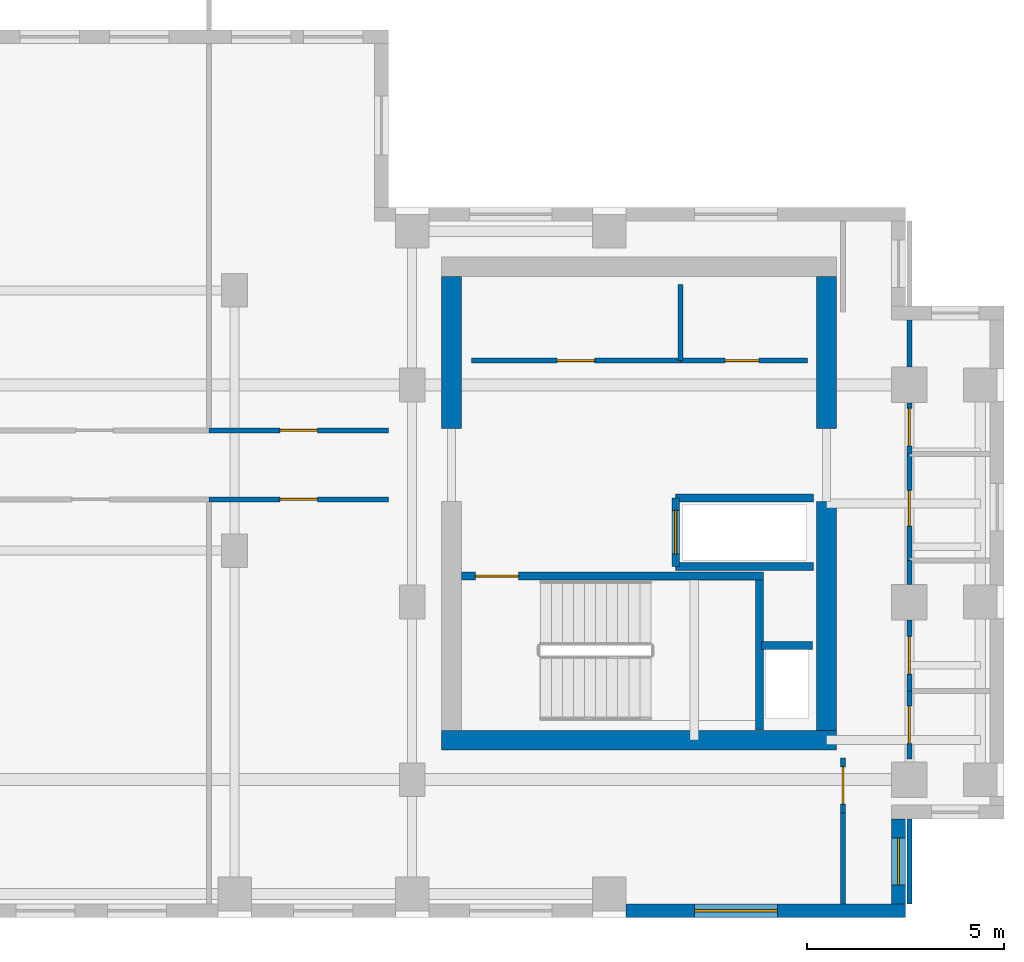
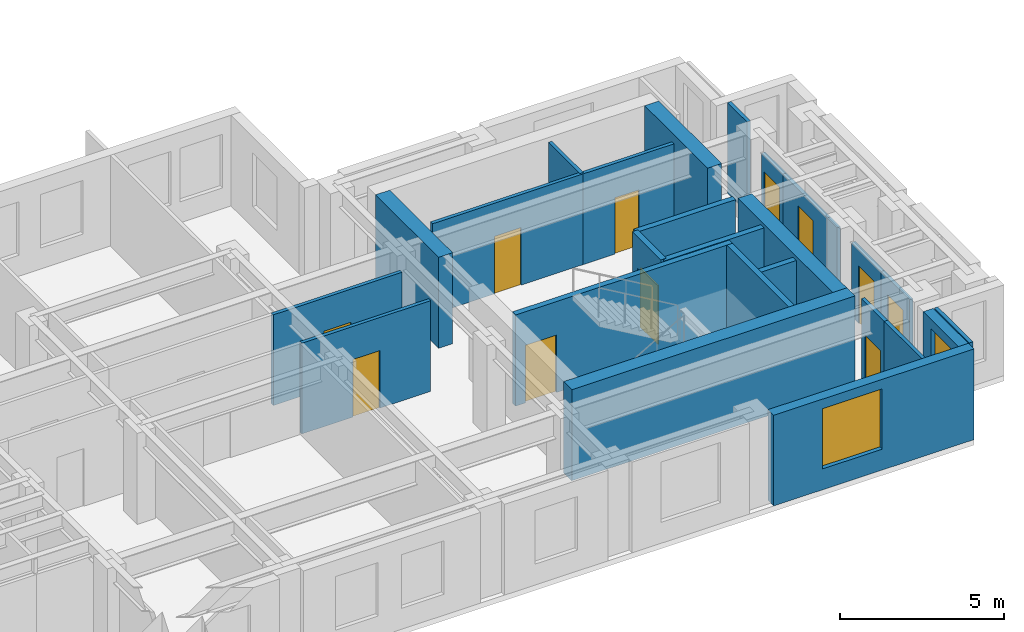
# One storey, part 9 of 13: 26 walls, 11 doors, 2 windows, 13 openings.
"""IFC4 building model written with IfcOpenShell, lengths in metres."""

import ifcopenshell
import ifcopenshell.guid

model = None  # the IFC model being written
_history = None  # IfcOwnerHistory: only IFC2X3 demands one
_inside = {}  # id of a spatial element -> (the spatial element, [elements in it])
_under = {}  # id of a project, library or spatial element -> (it, [spatial elements below it])
_declared = {}  # id of a project -> (the project, [libraries it declares])
_typed = {}  # id of a type object -> (the type object, [elements of that type])
_made_of = {}  # id of a material, layer set ... -> (it, [elements and type objects made of it])


def new_model(schema):
    """Start an empty IFC model of exactly this schema.

    Asked for "IFC4X3", IfcOpenShell would pick the latest addendum, in which some entities
    have other attributes; the version numbers below select the first issue.
    IFC2X3 requires an IfcOwnerHistory on every rooted entity: one is made here for all.
    """
    global model, _history
    if schema == "IFC4X3":
        model = ifcopenshell.file(schema_version=(4, 3, 0, 0))
    else:
        model = ifcopenshell.file(schema=schema)
    _inside.clear()
    _under.clear()
    _declared.clear()
    _typed.clear()
    _made_of.clear()
    _history = None
    if model.schema == "IFC2X3":
        org = make("IfcOrganization", Name="unknown")
        user = make(
            "IfcPersonAndOrganization",
            ThePerson=make("IfcPerson", FamilyName="unknown"),
            TheOrganization=org,
        )
        app = make(
            "IfcApplication",
            ApplicationDeveloper=org,
            Version="unknown",
            ApplicationFullName="unknown",
            ApplicationIdentifier="unknown",
        )
        _history = make(
            "IfcOwnerHistory",
            OwningUser=user,
            OwningApplication=app,
            ChangeAction="ADDED",
            CreationDate=0,
        )
    return model


def make(cls, **values):
    """One entity of the class cls with the attributes given. An attribute that is None is left unset."""
    return model.create_entity(
        cls, **{name: value for name, value in values.items() if value is not None}
    )


def rooted(cls, **values):
    """An entity with a GlobalId (a new one), such as an element, a storey or a relation."""
    return make(cls, GlobalId=ifcopenshell.guid.new(), OwnerHistory=_history, **values)


def si_unit(unit_type, name, prefix=None):
    """IfcSIUnit, for example si_unit("LENGTHUNIT", "METRE", prefix="MILLI")."""
    return make("IfcSIUnit", UnitType=unit_type, Prefix=prefix, Name=name)


def assignment(units):
    """IfcUnitAssignment: the units of a project."""
    return None if units is None else make("IfcUnitAssignment", Units=units)


def point(xyz):
    """IfcCartesianPoint."""
    return None if xyz is None else make("IfcCartesianPoint", Coordinates=xyz)


def direction(xyz):
    """IfcDirection."""
    return None if xyz is None else make("IfcDirection", DirectionRatios=xyz)


def frame(location, z_axis=None, x_axis=None):
    """IfcAxis2Placement3D, a coordinate frame: its origin and axes. An axis left out is left unset."""
    return make(
        "IfcAxis2Placement3D",
        Location=point(location),
        Axis=direction(z_axis),
        RefDirection=direction(x_axis),
    )


def frame_2d(location, x_axis=None):
    """IfcAxis2Placement2D, a coordinate frame in the plane: its origin and x axis."""
    return make(
        "IfcAxis2Placement2D", Location=point(location), RefDirection=direction(x_axis)
    )


def origin():
    """The frame at (0, 0, 0) with its axes left unset."""
    return frame((0.0, 0.0, 0.0))


def place(relative_to, where):
    """IfcLocalPlacement: puts the frame where relative to a parent placement (None: the world)."""
    return make(
        "IfcLocalPlacement", PlacementRelTo=relative_to, RelativePlacement=where
    )


def context(
    kind, dimensions, precision=None, world=None, true_north=None, identifier=None
):
    """IfcGeometricRepresentationContext, for example the 3D "Model" context."""
    return make(
        "IfcGeometricRepresentationContext",
        ContextIdentifier=identifier,
        ContextType=kind,
        CoordinateSpaceDimension=dimensions,
        Precision=precision,
        WorldCoordinateSystem=world,
        TrueNorth=true_north,
    )


def subcontext(parent, identifier, kind, view, scale=None):
    """IfcGeometricRepresentationSubContext, for example "Body" below "Model"."""
    return make(
        "IfcGeometricRepresentationSubContext",
        ContextIdentifier=identifier,
        ContextType=kind,
        ParentContext=parent,
        TargetScale=scale,
        TargetView=view,
    )


def project(units=None, contexts=None):
    """IfcProject with its units and contexts."""
    return rooted(
        "IfcProject",
        Name="project",
        RepresentationContexts=contexts,
        UnitsInContext=assignment(units),
    )


def spatial(cls, under=None, at=None, **own):
    """A site, building, storey or space (cls), placed at a placement, below another one or the project."""
    s = rooted(cls, ObjectPlacement=at, **own)
    if under is not None:
        _under.setdefault(under.id(), (under, []))[1].append(s)
    return s


def profile(cls, at=None, kind="AREA", **sizes):
    """A parametric profile (cls). Its sizes go by their IFC names, for example OverallWidth=200.0."""
    return make(cls, ProfileType=kind, Position=at, **sizes)


def rectangle(**sizes):
    """IfcRectangleProfileDef."""
    return profile("IfcRectangleProfileDef", **sizes)


def extrude(swept, where, along, depth):
    """IfcExtrudedAreaSolid: the profile swept, set in the frame where, extruded along a direction by depth."""
    return make(
        "IfcExtrudedAreaSolid",
        SweptArea=swept,
        Position=where,
        ExtrudedDirection=direction(along),
        Depth=depth,
    )


def shape(context_of_items, identifier, shape_type, items):
    """IfcShapeRepresentation: the items that make up one representation, for example the "Body"."""
    return make(
        "IfcShapeRepresentation",
        ContextOfItems=context_of_items,
        RepresentationIdentifier=identifier,
        RepresentationType=shape_type,
        Items=items,
    )


def source(mapping_origin, context_of_items, identifier, shape_type, items):
    """IfcRepresentationMap: a shape defined once, which mapped items show again and again."""
    return make(
        "IfcRepresentationMap",
        MappingOrigin=mapping_origin,
        MappedRepresentation=shape(context_of_items, identifier, shape_type, items),
    )


def transform(
    local_origin,
    x_axis=None,
    y_axis=None,
    z_axis=None,
    scale=None,
    scale2=None,
    scale3=None,
    uniform=True,
):
    """IfcCartesianTransformationOperator3D, or its non-uniform kind. x_axis, y_axis, z_axis: its Axis1, 2, 3."""
    if uniform:
        return make(
            "IfcCartesianTransformationOperator3D",
            Axis1=direction(x_axis),
            Axis2=direction(y_axis),
            LocalOrigin=point(local_origin),
            Scale=scale,
            Axis3=direction(z_axis),
        )
    return make(
        "IfcCartesianTransformationOperator3DnonUniform",
        Axis1=direction(x_axis),
        Axis2=direction(y_axis),
        LocalOrigin=point(local_origin),
        Scale=scale,
        Axis3=direction(z_axis),
        Scale2=scale2,
        Scale3=scale3,
    )


def mapped(mapping_source, mapping_target):
    """IfcMappedItem: shows the shape of a source again, moved by a transform."""
    return make(
        "IfcMappedItem", MappingSource=mapping_source, MappingTarget=mapping_target
    )


def material(Name=None, Category=None):
    """IfcMaterial."""
    return make("IfcMaterial", Name=Name, Category=Category)


def layer(
    of_material, thickness, ventilated=None, Name=None, Category=None, Priority=None
):
    """IfcMaterialLayer: one layer of a wall or slab, of a material (None: an air gap)."""
    return make(
        "IfcMaterialLayer",
        Material=of_material,
        LayerThickness=thickness,
        IsVentilated=ventilated,
        Name=Name,
        Category=Category,
        Priority=Priority,
    )


def layer_set(layers, Name=None):
    """IfcMaterialLayerSet."""
    return make("IfcMaterialLayerSet", MaterialLayers=layers, LayerSetName=Name)


def made_of(thing, what):
    """Note that an element or type object is made of a material, layer set ...; save() writes the relation."""
    if what is not None:
        _made_of.setdefault(what.id(), (what, []))[1].append(thing)
    return thing


def type_object(cls, material=None, **own):
    """A type object (cls), such as IfcWallType, which elements share."""
    return made_of(rooted(cls, **own), material)


def element(
    cls,
    number,
    at=None,
    inside=None,
    cuts=None,
    type_object=None,
    material=None,
    context=None,
    identifier="Body",
    shape_type=None,
    held_by="IfcProductDefinitionShape",
    body=None,
    shapes=None,
    **own,
):
    """One element of the class cls, such as IfcWall. Its Tag is "e" and its number.

    at: its placement. inside: the storey or other place that contains it. cuts: it is an
    opening in that element (IfcRelVoidsElement). A single representation is given by context,
    identifier, shape_type and body (its items); several are given by shapes. held_by: the class
    of the entity that holds the representations. save() writes the other relations.
    """
    e = rooted(cls, Tag="e%d" % number, ObjectPlacement=at, **own)
    if body is not None:
        shapes = [shape(context, identifier, shape_type, body)]
    if shapes is not None:
        e.Representation = make(held_by, Representations=shapes)
    if inside is not None:
        _inside.setdefault(inside.id(), (inside, []))[1].append(e)
    if cuts is not None:
        rooted(
            "IfcRelVoidsElement", RelatingBuildingElement=cuts, RelatedOpeningElement=e
        )
    if type_object is not None:
        _typed.setdefault(type_object.id(), (type_object, []))[1].append(e)
    return made_of(e, material)


def fill(opening, filler):
    """IfcRelFillsElement: the door or window that sits in an opening."""
    return rooted(
        "IfcRelFillsElement",
        RelatingOpeningElement=opening,
        RelatedBuildingElement=filler,
    )


def aggregate(whole, parts):
    """IfcRelAggregates: a whole, such as a stair, and the parts it consists of."""
    return rooted("IfcRelAggregates", RelatingObject=whole, RelatedObjects=parts)


def save(model, path):
    """Write the relations noted so far, then the file.

    IfcRelAggregates (storeys below a building ...), IfcRelContainedInSpatialStructure (elements
    in a storey), IfcRelDefinesByType, IfcRelAssociatesMaterial and IfcRelDeclares: one each for
    every whole, place, type object, material and project.
    """
    for whole, parts in _under.values():
        aggregate(whole, parts)
    for where, things in _inside.values():
        rooted(
            "IfcRelContainedInSpatialStructure",
            RelatedElements=things,
            RelatingStructure=where,
        )
    for kind, things in _typed.values():
        rooted("IfcRelDefinesByType", RelatedObjects=things, RelatingType=kind)
    for what, things in _made_of.values():
        rooted("IfcRelAssociatesMaterial", RelatedObjects=things, RelatingMaterial=what)
    for by, libraries in _declared.values():
        rooted("IfcRelDeclares", RelatingContext=by, RelatedDefinitions=libraries)
    model.write(path)


model = new_model("IFC4")

# Units and contexts
model_context = context("Model", 3, precision=1e-05, world=origin(), true_north=direction((0.0, 1.0)))
body_context = subcontext(model_context, "Body", "Model", "MODEL_VIEW")
ifc_project = project(units=[si_unit("LENGTHUNIT", "METRE"), si_unit("AREAUNIT", "SQUARE_METRE"), si_unit("VOLUMEUNIT", "CUBIC_METRE"), si_unit("PLANEANGLEUNIT", "RADIAN"), si_unit("MASSUNIT", "GRAM", prefix="KILO")], contexts=[model_context])

# Site, building, storey
site_placement = place(None, origin())
site = spatial("IfcSite", under=ifc_project, at=site_placement, CompositionType="ELEMENT")
building_placement = place(site_placement, origin())
building = spatial("IfcBuilding", under=site, at=building_placement, Name="Kharzan Plaza Tower", CompositionType="ELEMENT")
storey_placement = place(building_placement, frame((0.0, 0.0, 252.0)))
storey = spatial("IfcBuildingStorey", under=building, at=storey_placement, Name="L68", CompositionType="ELEMENT", Elevation=252.0)

# Wall, opening, window
ifc_material_1 = material(Name="Concrete C40/50", Category="concrete")
ifc_layer_1 = layer(ifc_material_1, 0.35009765625)
ifc_layer_set_1 = layer_set([ifc_layer_1], Name="Concrete C40/50")
wall_type_1 = type_object("IfcWallType", Name="WL-EXT-MAS-Z4", PredefinedType="SOLIDWALL", material=ifc_layer_set_1)
wall_1_placement = place(storey_placement, frame((40.423095703125, 0.175048828125, 0.0), z_axis=(0.0, 0.0, 1.0), x_axis=(1.0, 0.0, 0.0)))
wall_1 = element("IfcWall", 1, at=wall_1_placement, inside=storey, type_object=wall_type_1, Name="L68 Masonry-Frame Exterior Wall 34", PredefinedType="SOLIDWALL", context=body_context, shape_type="SweptSolid", body=[
    extrude(rectangle(XDim=7.076904296875, YDim=0.35009765625, at=frame_2d((3.53857421875, 0.0))), origin(), (0.0, 0.0, 1.0), 3.385009765625),
])
opening_1_placement = place(wall_1_placement, frame((1.7333984375, 0.0, 0.780029296875)))
opening_1 = element("IfcOpeningElement", 2, at=opening_1_placement, cuts=wall_1, Name="Opening W6", PredefinedType="OPENING", context=body_context, shape_type="SweptSolid", body=[
    extrude(rectangle(XDim=2.10009765625, YDim=2.25, at=frame_2d((1.050048828125, 1.125))), frame((0.0, 0.18505859375, 0.0), z_axis=(0.0, -1.0, 0.0), x_axis=(1.0, 0.0, 0.0)), (0.0, 0.0, 1.0), 0.3701171875),
])
ifc_material_2 = material(Name="Low-E Double Glazing", Category="glass")
window_type_1 = type_object("IfcWindowType", Name="WN-EXEC-2100x2250", PartitioningType="SINGLE_PANEL", PredefinedType="WINDOW", material=ifc_material_2)
shared_shape_1 = source(origin(), body_context, "Body", "SweptSolid", [
    extrude(rectangle(XDim=2.10009765625, YDim=2.25, at=frame_2d((1.050048828125, 1.125))), frame((0.0, 0.030029296875, 0.0), z_axis=(0.0, -1.0, 0.0), x_axis=(1.0, 0.0, 0.0)), (0.0, 0.0, 1.0), 0.06005859375),
])
window_1_placement = place(opening_1_placement, origin())
window_1 = element("IfcWindow", 3, at=window_1_placement, inside=storey, type_object=window_type_1, Name="L68 Recessed Solar-Control Window 34-1", OverallHeight=2.25, OverallWidth=2.10009765625, PartitioningType="SINGLE_PANEL", PredefinedType="WINDOW", context=body_context, shape_type="MappedRepresentation", body=[
    mapped(shared_shape_1, transform((0.0, 0.0, 0.0), x_axis=(1.0, 0.0, 0.0), y_axis=(0.0, 1.0, 0.0), z_axis=(0.0, 0.0, 1.0))),
])
fill(opening_1, window_1)

wall_2_placement = place(storey_placement, frame((47.324951171875, 0.347900390625, 0.0), z_axis=(0.0, 0.0, 1.0), x_axis=(0.0, 1.0, 0.0)))
wall_2 = element("IfcWall", 4, at=wall_2_placement, inside=storey, type_object=wall_type_1, Name="L68 Masonry-Frame Exterior Wall 35", PredefinedType="SOLIDWALL", context=body_context, shape_type="SweptSolid", body=[
    extrude(rectangle(XDim=2.154052734375, YDim=0.35009765625, at=frame_2d((1.0771484375, 0.0))), origin(), (0.0, 0.0, 1.0), 3.385009765625),
])
opening_2_placement = place(wall_2_placement, frame((0.47705078125, 0.0, 0.780029296875)))
opening_2 = element("IfcOpeningElement", 5, at=opening_2_placement, cuts=wall_2, Name="Opening W3", PredefinedType="OPENING", context=body_context, shape_type="SweptSolid", body=[
    extrude(rectangle(XDim=1.199951171875, YDim=2.25, at=frame_2d((0.60009765625, 1.125))), frame((0.0, 0.18505859375, 0.0), z_axis=(0.0, -1.0, 0.0), x_axis=(1.0, 0.0, 0.0)), (0.0, 0.0, 1.0), 0.3701171875),
])
window_type_2 = type_object("IfcWindowType", Name="WN-REC-1200x2100", PartitioningType="SINGLE_PANEL", PredefinedType="WINDOW", material=ifc_material_2)
shared_shape_2 = source(origin(), body_context, "Body", "SweptSolid", [
    extrude(rectangle(XDim=1.199951171875, YDim=2.25, at=frame_2d((0.60009765625, 1.125))), frame((0.0, 0.030029296875, 0.0), z_axis=(0.0, -1.0, 0.0), x_axis=(1.0, 0.0, 0.0)), (0.0, 0.0, 1.0), 0.06005859375),
])
window_2_placement = place(opening_2_placement, origin())
window_2 = element("IfcWindow", 6, at=window_2_placement, inside=storey, type_object=window_type_2, Name="L68 Recessed Solar-Control Window 35-1", OverallHeight=2.25, OverallWidth=1.199951171875, PartitioningType="SINGLE_PANEL", PredefinedType="WINDOW", context=body_context, shape_type="MappedRepresentation", body=[
    mapped(shared_shape_2, transform((0.0, 0.0, 0.0), x_axis=(1.0, 0.0, 0.0), y_axis=(0.0, 1.0, 0.0), z_axis=(0.0, 0.0, 1.0))),
])
fill(opening_2, window_2)

# Wall, opening, door
ifc_material_3 = material(Name="Fire-Rated Gypsum Board Partition", Category="gypsum")
ifc_layer_2 = layer(ifc_material_3, 0.125)
ifc_layer_set_2 = layer_set([ifc_layer_2], Name="Fire-Rated Gypsum Board Partition")
wall_type_2 = type_object("IfcWallType", Name="WL-INT-PART-125", PredefinedType="PARTITIONING", material=ifc_layer_set_2)
wall_3_placement = place(storey_placement, frame((36.5, 14.1201171875, 0.0), z_axis=(0.0, 0.0, 1.0), x_axis=(1.0, 0.0, 0.0)))
wall_3 = element("IfcWall", 7, at=wall_3_placement, inside=storey, type_object=wall_type_2, Name="L68 Interior Partition CB-RBLSA", PredefinedType="PARTITIONING", context=body_context, shape_type="SweptSolid", body=[
    extrude(rectangle(XDim=5.300048828125, YDim=0.125, at=frame_2d((2.64990234375, 0.0))), origin(), (0.0, 0.0, 1.0), 3.385009765625),
])
opening_3_placement = place(wall_3_placement, frame((2.175048828125, 0.0, 0.0)))
opening_3 = element("IfcOpeningElement", 8, at=opening_3_placement, cuts=wall_3, Name="Opening OD1", PredefinedType="OPENING", context=body_context, shape_type="SweptSolid", body=[
    extrude(rectangle(XDim=0.949951171875, YDim=2.14990234375, at=frame_2d((0.47509765625, 1.074951171875))), frame((0.0, 0.072509765625, 0.0), z_axis=(0.0, -1.0, 0.0), x_axis=(1.0, 0.0, 0.0)), (0.0, 0.0, 1.0), 0.14501953125),
])
ifc_material_4 = material(Name="Acoustic Solid-Core Stained Oak", Category="timber")
door_type_1 = type_object("IfcDoorType", Name="DR-OFF-SINGLE", OperationType="NOTDEFINED", PredefinedType="DOOR", material=ifc_material_4)
shared_shape_3 = source(origin(), body_context, "Body", "SweptSolid", [
    extrude(rectangle(XDim=0.949951171875, YDim=2.14990234375, at=frame_2d((0.47509765625, 1.074951171875))), frame((0.0, 0.02490234375, 0.0), z_axis=(0.0, -1.0, 0.0), x_axis=(1.0, 0.0, 0.0)), (0.0, 0.0, 1.0), 0.050048828125),
])
door_1_placement = place(opening_3_placement, origin())
door_1 = element("IfcDoor", 9, at=door_1_placement, inside=storey, type_object=door_type_1, Name="L68 Records Room Door", OperationType="SINGLE_SWING_RIGHT", OverallHeight=2.14990234375, OverallWidth=0.949951171875, PredefinedType="DOOR", context=body_context, shape_type="MappedRepresentation", body=[
    mapped(shared_shape_3, transform((0.0, 0.0, 0.0), x_axis=(1.0, 0.0, 0.0), y_axis=(0.0, 1.0, 0.0), z_axis=(0.0, 0.0, 1.0))),
])
fill(opening_3, door_1)

wall_4_placement = place(storey_placement, frame((41.800048828125, 14.1201171875, 0.0), z_axis=(0.0, 0.0, 1.0), x_axis=(1.0, 0.0, 0.0)))
wall_4 = element("IfcWall", 10, at=wall_4_placement, inside=storey, type_object=wall_type_2, Name="L68 Interior Partition CB-RBLSB", PredefinedType="PARTITIONING", context=body_context, shape_type="SweptSolid", body=[
    extrude(rectangle(XDim=3.219970703125, YDim=0.125, at=frame_2d((1.60986328125, 0.0))), origin(), (0.0, 0.0, 1.0), 3.385009765625),
])
opening_4_placement = place(wall_4_placement, frame((1.135009765625, 0.0, 0.0)))
opening_4 = element("IfcOpeningElement", 11, at=opening_4_placement, cuts=wall_4, Name="Opening RD1", PredefinedType="OPENING", context=body_context, shape_type="SweptSolid", body=[
    extrude(rectangle(XDim=0.85009765625, YDim=2.10009765625, at=frame_2d((0.425048828125, 1.050048828125))), frame((0.0, 0.072509765625, 0.0), z_axis=(0.0, -1.0, 0.0), x_axis=(1.0, 0.0, 0.0)), (0.0, 0.0, 1.0), 0.14501953125),
])
ifc_material_5 = material(Name="Powder-Coated Fire-Rated Steel", Category="steel")
door_type_2 = type_object("IfcDoorType", Name="DR-RISER-900", OperationType="NOTDEFINED", PredefinedType="DOOR", material=ifc_material_5)
shared_shape_4 = source(origin(), body_context, "Body", "SweptSolid", [
    extrude(rectangle(XDim=0.85009765625, YDim=2.10009765625, at=frame_2d((0.425048828125, 1.050048828125))), frame((0.0, 0.02490234375, 0.0), z_axis=(0.0, -1.0, 0.0), x_axis=(1.0, 0.0, 0.0)), (0.0, 0.0, 1.0), 0.050048828125),
])
door_2_placement = place(opening_4_placement, origin())
door_2 = element("IfcDoor", 12, at=door_2_placement, inside=storey, type_object=door_type_2, Name="L68 Housekeeping Store Door", OperationType="SINGLE_SWING_LEFT", OverallHeight=2.10009765625, OverallWidth=0.85009765625, PredefinedType="DOOR", context=body_context, shape_type="MappedRepresentation", body=[
    mapped(shared_shape_4, transform((0.0, 0.0, 0.0), x_axis=(1.0, 0.0, 0.0), y_axis=(0.0, 1.0, 0.0), z_axis=(0.0, 0.0, 1.0))),
])
fill(opening_4, door_2)

wall_5_placement = place(storey_placement, frame((47.60009765625, 4.02001953125, 0.0), z_axis=(0.0, 0.0, 1.0), x_axis=(0.0, 1.0, 0.0)))
wall_5 = element("IfcWall", 13, at=wall_5_placement, inside=storey, type_object=wall_type_2, Name="L68 Interior Partition SH-B3W0", PredefinedType="PARTITIONING", context=body_context, shape_type="SweptSolid", body=[
    extrude(rectangle(XDim=1.72998046875, YDim=0.125, at=frame_2d((0.864990234375, 0.0))), origin(), (0.0, 0.0, 1.0), 2.77294921875),
])
opening_5_placement = place(wall_5_placement, frame((0.389892578125, 0.0, 0.0)))
opening_5 = element("IfcOpeningElement", 14, at=opening_5_placement, cuts=wall_5, Name="Opening OD1", PredefinedType="OPENING", context=body_context, shape_type="SweptSolid", body=[
    extrude(rectangle(XDim=0.949951171875, YDim=2.14990234375, at=frame_2d((0.47509765625, 1.074951171875))), frame((0.0, 0.072509765625, 0.0), z_axis=(0.0, -1.0, 0.0), x_axis=(1.0, 0.0, 0.0)), (0.0, 0.0, 1.0), 0.14501953125),
])
door_3_placement = place(opening_5_placement, origin())
door_3 = element("IfcDoor", 15, at=door_3_placement, inside=storey, type_object=door_type_1, Name="L68 Wing B Office 1 Door", OperationType="SINGLE_SWING_RIGHT", OverallHeight=2.14990234375, OverallWidth=0.949951171875, PredefinedType="DOOR", context=body_context, shape_type="MappedRepresentation", body=[
    mapped(shared_shape_3, transform((0.0, 0.0, 0.0), x_axis=(1.0, 0.0, 0.0), y_axis=(0.0, 1.0, 0.0), z_axis=(0.0, 0.0, 1.0))),
])
fill(opening_5, door_3)

wall_6_placement = place(storey_placement, frame((47.60009765625, 5.75, 0.0), z_axis=(0.0, 0.0, 1.0), x_axis=(0.0, 1.0, 0.0)))
wall_6 = element("IfcWall", 16, at=wall_6_placement, inside=storey, type_object=wall_type_2, Name="L68 Interior Partition SH-B3W1-S1", PredefinedType="PARTITIONING", context=body_context, shape_type="SweptSolid", body=[
    extrude(rectangle(XDim=1.800048828125, YDim=0.125, at=frame_2d((0.89990234375, 0.0))), origin(), (0.0, 0.0, 1.0), 2.77294921875),
])
opening_6_placement = place(wall_6_placement, frame((0.425048828125, 0.0, 0.0)))
opening_6 = element("IfcOpeningElement", 17, at=opening_6_placement, cuts=wall_6, Name="Opening OD1", PredefinedType="OPENING", context=body_context, shape_type="SweptSolid", body=[
    extrude(rectangle(XDim=0.949951171875, YDim=2.14990234375, at=frame_2d((0.47509765625, 1.074951171875))), frame((0.0, 0.072509765625, 0.0), z_axis=(0.0, -1.0, 0.0), x_axis=(1.0, 0.0, 0.0)), (0.0, 0.0, 1.0), 0.14501953125),
])
door_4_placement = place(opening_6_placement, origin())
door_4 = element("IfcDoor", 18, at=door_4_placement, inside=storey, type_object=door_type_1, Name="L68 Wing B Office 2 Door", OperationType="SINGLE_SWING_LEFT", OverallHeight=2.14990234375, OverallWidth=0.949951171875, PredefinedType="DOOR", context=body_context, shape_type="MappedRepresentation", body=[
    mapped(shared_shape_3, transform((0.0, 0.0, 0.0), x_axis=(1.0, 0.0, 0.0), y_axis=(0.0, 1.0, 0.0), z_axis=(0.0, 0.0, 1.0))),
])
fill(opening_6, door_4)

wall_7_placement = place(storey_placement, frame((47.60009765625, 11.75, 0.0), z_axis=(0.0, 0.0, 1.0), x_axis=(0.0, 1.0, 0.0)))
wall_7 = element("IfcWall", 19, at=wall_7_placement, inside=storey, type_object=wall_type_2, Name="L68 Interior Partition SH-B3W2-S1", PredefinedType="PARTITIONING", context=body_context, shape_type="SweptSolid", body=[
    extrude(rectangle(XDim=1.300048828125, YDim=0.125, at=frame_2d((0.64990234375, 0.0))), origin(), (0.0, 0.0, 1.0), 2.77294921875),
])
opening_7_placement = place(wall_7_placement, frame((0.2099609375, 0.0, 0.0)))
opening_7 = element("IfcOpeningElement", 20, at=opening_7_placement, cuts=wall_7, Name="Opening OD1", PredefinedType="OPENING", context=body_context, shape_type="SweptSolid", body=[
    extrude(rectangle(XDim=0.949951171875, YDim=2.14990234375, at=frame_2d((0.47509765625, 1.074951171875))), frame((0.0, 0.072509765625, 0.0), z_axis=(0.0, -1.0, 0.0), x_axis=(1.0, 0.0, 0.0)), (0.0, 0.0, 1.0), 0.14501953125),
])
door_5_placement = place(opening_7_placement, origin())
door_5 = element("IfcDoor", 21, at=door_5_placement, inside=storey, type_object=door_type_1, Name="L68 Wing B Office 3 Door", OperationType="SINGLE_SWING_LEFT", OverallHeight=2.14990234375, OverallWidth=0.949951171875, PredefinedType="DOOR", context=body_context, shape_type="MappedRepresentation", body=[
    mapped(shared_shape_3, transform((0.0, 0.0, 0.0), x_axis=(1.0, 0.0, 0.0), y_axis=(0.0, 1.0, 0.0), z_axis=(0.0, 0.0, 1.0))),
])
fill(opening_7, door_5)

wall_8_placement = place(storey_placement, frame((47.60009765625, 9.050048828125, 0.0), z_axis=(0.0, 0.0, 1.0), x_axis=(0.0, 1.0, 0.0)))
wall_8 = element("IfcWall", 22, at=wall_8_placement, inside=storey, type_object=wall_type_2, Name="L68 Interior Partition SH-B3WC", PredefinedType="PARTITIONING", context=body_context, shape_type="SweptSolid", body=[
    extrude(rectangle(XDim=2.699951171875, YDim=0.125, at=frame_2d((1.35009765625, 0.0))), origin(), (0.0, 0.0, 1.0), 2.77294921875),
])
opening_8_placement = place(wall_8_placement, frame((0.875, 0.0, 0.0)))
opening_8 = element("IfcOpeningElement", 23, at=opening_8_placement, cuts=wall_8, Name="Opening WD1", PredefinedType="OPENING", context=body_context, shape_type="SweptSolid", body=[
    extrude(rectangle(XDim=0.89990234375, YDim=2.14990234375, at=frame_2d((0.449951171875, 1.074951171875))), frame((0.0, 0.072509765625, 0.0), z_axis=(0.0, -1.0, 0.0), x_axis=(1.0, 0.0, 0.0)), (0.0, 0.0, 1.0), 0.14501953125),
])
ifc_material_6 = material(Name="Moisture-Resistant Fire-Rated Laminate", Category="timber")
door_type_3 = type_object("IfcDoorType", Name="DR-WC-900", OperationType="NOTDEFINED", PredefinedType="DOOR", material=ifc_material_6)
shared_shape_5 = source(origin(), body_context, "Body", "SweptSolid", [
    extrude(rectangle(XDim=0.89990234375, YDim=2.14990234375, at=frame_2d((0.449951171875, 1.074951171875))), frame((0.0, 0.02490234375, 0.0), z_axis=(0.0, -1.0, 0.0), x_axis=(1.0, 0.0, 0.0)), (0.0, 0.0, 1.0), 0.050048828125),
])
door_6_placement = place(opening_8_placement, origin())
door_6 = element("IfcDoor", 24, at=door_6_placement, inside=storey, type_object=door_type_3, Name="L68 Wing B Washroom Door", OperationType="SINGLE_SWING_RIGHT", OverallHeight=2.14990234375, OverallWidth=0.89990234375, PredefinedType="DOOR", context=body_context, shape_type="MappedRepresentation", body=[
    mapped(shared_shape_5, transform((0.0, 0.0, 0.0), x_axis=(1.0, 0.0, 0.0), y_axis=(0.0, 1.0, 0.0), z_axis=(0.0, 0.0, 1.0))),
])
fill(opening_8, door_6)

wall_9_placement = place(storey_placement, frame((45.919921875, 2.64990234375, 0.0), z_axis=(0.0, 0.0, 1.0), x_axis=(0.0, 1.0, 0.0)))
wall_9 = element("IfcWall", 25, at=wall_9_placement, inside=storey, type_object=wall_type_2, Name="L68 Interior Partition SH-RBSE", PredefinedType="PARTITIONING", context=body_context, shape_type="SweptSolid", body=[
    extrude(rectangle(XDim=1.400146484375, YDim=0.125, at=frame_2d((0.7001953125, 0.0))), origin(), (0.0, 0.0, 1.0), 3.385009765625),
])
opening_9_placement = place(wall_9_placement, frame((0.22509765625, 0.0, 0.0)))
opening_9 = element("IfcOpeningElement", 26, at=opening_9_placement, cuts=wall_9, Name="Opening OD1", PredefinedType="OPENING", context=body_context, shape_type="SweptSolid", body=[
    extrude(rectangle(XDim=0.949951171875, YDim=2.14990234375, at=frame_2d((0.47509765625, 1.074951171875))), frame((0.0, 0.072509765625, 0.0), z_axis=(0.0, -1.0, 0.0), x_axis=(1.0, 0.0, 0.0)), (0.0, 0.0, 1.0), 0.14501953125),
])
door_7_placement = place(opening_9_placement, origin())
door_7 = element("IfcDoor", 27, at=door_7_placement, inside=storey, type_object=door_type_1, Name="L68 South-East Corner Office Door", OperationType="SINGLE_SWING_LEFT", OverallHeight=2.14990234375, OverallWidth=0.949951171875, PredefinedType="DOOR", context=body_context, shape_type="MappedRepresentation", body=[
    mapped(shared_shape_3, transform((0.0, 0.0, 0.0), x_axis=(1.0, 0.0, 0.0), y_axis=(0.0, 1.0, 0.0), z_axis=(0.0, 0.0, 1.0))),
])
fill(opening_9, door_7)

wall_10_placement = place(storey_placement, frame((29.85009765625, 12.35009765625, 0.0), z_axis=(0.0, 0.0, 1.0), x_axis=(1.0, 0.0, 0.0)))
wall_10 = element("IfcWall", 28, at=wall_10_placement, inside=storey, type_object=wall_type_2, Name="L68 Interior Partition SH-SPNE1", PredefinedType="PARTITIONING", context=body_context, shape_type="SweptSolid", body=[
    extrude(rectangle(XDim=4.5498046875, YDim=0.125, at=frame_2d((2.27490234375, 0.0))), origin(), (0.0, 0.0, 1.0), 3.385009765625),
])
opening_10_placement = place(wall_10_placement, frame((1.800048828125, 0.0, 0.0)))
opening_10 = element("IfcOpeningElement", 29, at=opening_10_placement, cuts=wall_10, Name="Opening OD1", PredefinedType="OPENING", context=body_context, shape_type="SweptSolid", body=[
    extrude(rectangle(XDim=0.949951171875, YDim=2.14990234375, at=frame_2d((0.47509765625, 1.074951171875))), frame((0.0, 0.072509765625, 0.0), z_axis=(0.0, -1.0, 0.0), x_axis=(1.0, 0.0, 0.0)), (0.0, 0.0, 1.0), 0.14501953125),
])
door_8_placement = place(opening_10_placement, origin())
door_8 = element("IfcDoor", 30, at=door_8_placement, inside=storey, type_object=door_type_1, Name="L68 North-East Spine Door", OperationType="SINGLE_SWING_LEFT", OverallHeight=2.14990234375, OverallWidth=0.949951171875, PredefinedType="DOOR", context=body_context, shape_type="MappedRepresentation", body=[
    mapped(shared_shape_3, transform((0.0, 0.0, 0.0), x_axis=(1.0, 0.0, 0.0), y_axis=(0.0, 1.0, 0.0), z_axis=(0.0, 0.0, 1.0))),
])
fill(opening_10, door_8)

wall_11_placement = place(storey_placement, frame((29.85009765625, 10.60009765625, 0.0), z_axis=(0.0, 0.0, 1.0), x_axis=(1.0, 0.0, 0.0)))
wall_11 = element("IfcWall", 31, at=wall_11_placement, inside=storey, type_object=wall_type_2, Name="L68 Interior Partition SH-SPS3", PredefinedType="PARTITIONING", context=body_context, shape_type="SweptSolid", body=[
    extrude(rectangle(XDim=4.5498046875, YDim=0.125, at=frame_2d((2.27490234375, 0.0))), origin(), (0.0, 0.0, 1.0), 3.385009765625),
])
opening_11_placement = place(wall_11_placement, frame((1.800048828125, 0.0, 0.0)))
opening_11 = element("IfcOpeningElement", 32, at=opening_11_placement, cuts=wall_11, Name="Opening OD1", PredefinedType="OPENING", context=body_context, shape_type="SweptSolid", body=[
    extrude(rectangle(XDim=0.949951171875, YDim=2.14990234375, at=frame_2d((0.47509765625, 1.074951171875))), frame((0.0, 0.072509765625, 0.0), z_axis=(0.0, -1.0, 0.0), x_axis=(1.0, 0.0, 0.0)), (0.0, 0.0, 1.0), 0.14501953125),
])
door_9_placement = place(opening_11_placement, origin())
door_9 = element("IfcDoor", 33, at=door_9_placement, inside=storey, type_object=door_type_1, Name="L68 Spine Studio 3 Door", OperationType="SINGLE_SWING_LEFT", OverallHeight=2.14990234375, OverallWidth=0.949951171875, PredefinedType="DOOR", context=body_context, shape_type="MappedRepresentation", body=[
    mapped(shared_shape_3, transform((0.0, 0.0, 0.0), x_axis=(1.0, 0.0, 0.0), y_axis=(0.0, 1.0, 0.0), z_axis=(0.0, 0.0, 1.0))),
])
fill(opening_11, door_9)

ifc_layer_3 = layer(ifc_material_1, 0.199951171875)
ifc_layer_set_3 = layer_set([ifc_layer_3], Name="Concrete C40/50")
wall_type_3 = type_object("IfcWallType", Name="WL-INT-SHAFT-200", PredefinedType="PARTITIONING", material=ifc_layer_set_3)
wall_12_placement = place(storey_placement, frame((41.679931640625, 8.89990234375, 0.0), z_axis=(0.0, 0.0, 1.0), x_axis=(0.0, 1.0, 0.0)))
wall_12 = element("IfcWall", 34, at=wall_12_placement, inside=storey, type_object=wall_type_3, Name="L68 Interior Partition SHF-SVL-2-W", PredefinedType="PARTITIONING", context=body_context, shape_type="SweptSolid", body=[
    extrude(rectangle(XDim=1.739990234375, YDim=0.199951171875, at=frame_2d((0.8701171875, 0.0))), origin(), (0.0, 0.0, 1.0), 3.385009765625),
])
opening_12_placement = place(wall_12_placement, frame((0.320068359375, 0.0, 0.0)))
opening_12 = element("IfcOpeningElement", 35, at=opening_12_placement, cuts=wall_12, Name="Opening LD", PredefinedType="OPENING", context=body_context, shape_type="SweptSolid", body=[
    extrude(rectangle(XDim=1.10009765625, YDim=2.199951171875, at=frame_2d((0.550048828125, 1.10009765625))), frame((0.0, 0.10986328125, 0.0), z_axis=(0.0, -1.0, 0.0), x_axis=(1.0, 0.0, 0.0)), (0.0, 0.0, 1.0), 0.219970703125),
])
ifc_material_7 = material(Name="Brushed Stainless Steel", Category="steel")
door_type_4 = type_object("IfcDoorType", Name="DR-LIFT-SLIDE", OperationType="SLIDING_TO_LEFT", PredefinedType="DOOR", material=ifc_material_7)
shared_shape_6 = source(origin(), body_context, "Body", "SweptSolid", [
    extrude(rectangle(XDim=1.10009765625, YDim=2.199951171875, at=frame_2d((0.550048828125, 1.10009765625))), frame((0.0, 0.02490234375, 0.0), z_axis=(0.0, -1.0, 0.0), x_axis=(1.0, 0.0, 0.0)), (0.0, 0.0, 1.0), 0.050048828125),
])
door_10_placement = place(opening_12_placement, origin())
door_10 = element("IfcDoor", 36, at=door_10_placement, inside=storey, type_object=door_type_4, Name="L68 Service Lift SVL-2 Sliding Landing Door", OperationType="SLIDING_TO_LEFT", OverallHeight=2.199951171875, OverallWidth=1.10009765625, PredefinedType="DOOR", context=body_context, shape_type="MappedRepresentation", body=[
    mapped(shared_shape_6, transform((0.0, 0.0, 0.0), x_axis=(1.0, 0.0, 0.0), y_axis=(0.0, 1.0, 0.0), z_axis=(0.0, 0.0, 1.0))),
])
fill(opening_12, door_10)

ifc_material_8 = material(Name="Concrete C50/60", Category="concrete")
ifc_layer_4 = layer(ifc_material_8, 0.199951171875)
ifc_layer_set_4 = layer_set([ifc_layer_4], Name="Concrete C50/60")
wall_type_4 = type_object("IfcWallType", Name="WL-SHAFT-RC200", PredefinedType="SHEAR", material=ifc_layer_set_4)
wall_13_placement = place(storey_placement, frame((36.251953125, 8.655029296875, 0.0), z_axis=(0.0, 0.0, 1.0), x_axis=(1.0, 0.0, 0.0)))
wall_13 = element("IfcWall", 37, at=wall_13_placement, inside=storey, type_object=wall_type_4, Name="L68 Stair ST-3 North RC Shaft Wall", PredefinedType="SHEAR", context=body_context, shape_type="SweptSolid", body=[
    extrude(rectangle(XDim=7.653076171875, YDim=0.199951171875, at=frame_2d((3.82666015625, 0.0))), origin(), (0.0, 0.0, 1.0), 3.39990234375),
])
opening_13_placement = place(wall_13_placement, frame((0.35009765625, 0.0, 0.0)))
opening_13 = element("IfcOpeningElement", 38, at=opening_13_placement, cuts=wall_13, Name="Opening SD1", PredefinedType="OPENING", context=body_context, shape_type="SweptSolid", body=[
    extrude(rectangle(XDim=1.10009765625, YDim=2.14990234375, at=frame_2d((0.550048828125, 1.074951171875))), frame((0.0, 0.10986328125, 0.0), z_axis=(0.0, -1.0, 0.0), x_axis=(1.0, 0.0, 0.0)), (0.0, 0.0, 1.0), 0.219970703125),
])
ifc_material_9 = material(Name="Fire-Rated Hollow Galvanized Steel", Category="steel")
door_type_5 = type_object("IfcDoorType", Name="DR-STAIR-FD120", OperationType="NOTDEFINED", PredefinedType="DOOR", material=ifc_material_9)
shared_shape_7 = source(origin(), body_context, "Body", "SweptSolid", [
    extrude(rectangle(XDim=1.10009765625, YDim=2.14990234375, at=frame_2d((0.550048828125, 1.074951171875))), frame((0.0, 0.02490234375, 0.0), z_axis=(0.0, -1.0, 0.0), x_axis=(1.0, 0.0, 0.0)), (0.0, 0.0, 1.0), 0.050048828125),
])
door_11_placement = place(opening_13_placement, origin())
door_11 = element("IfcDoor", 39, at=door_11_placement, inside=storey, type_object=door_type_5, Name="L68 Stair ST-3 Fire Exit Door", OperationType="SINGLE_SWING_LEFT", OverallHeight=2.14990234375, OverallWidth=1.10009765625, PredefinedType="DOOR", context=body_context, shape_type="MappedRepresentation", body=[
    mapped(shared_shape_7, transform((0.0, 0.0, 0.0), x_axis=(1.0, 0.0, 0.0), y_axis=(0.0, 1.0, 0.0), z_axis=(0.0, 0.0, 1.0))),
])
fill(opening_13, door_11)

# Walls
shared_shape_8 = source(origin(), body_context, "Body", "SweptSolid", [
    extrude(rectangle(XDim=1.929931640625, YDim=0.125, at=frame_2d((0.96484375, 0.0))), origin(), (0.0, 0.0, 1.0), 3.385009765625),
])
wall_14_placement = place(storey_placement, frame((41.800048828125, 14.1201171875, 0.0), z_axis=(0.0, 0.0, 1.0), x_axis=(0.0, 1.0, 0.0)))
element("IfcWall", 40, at=wall_14_placement, inside=storey, type_object=wall_type_2, Name="L68 Interior Partition CB-RBLM2", PredefinedType="PARTITIONING", context=body_context, shape_type="MappedRepresentation", body=[
    mapped(shared_shape_8, transform((0.0, 0.0, 0.0), x_axis=(1.0, 0.0, 0.0), y_axis=(0.0, 1.0, 0.0), z_axis=(0.0, 0.0, 1.0))),
])
shared_shape_9 = source(origin(), body_context, "Body", "SweptSolid", [
    extrude(rectangle(XDim=2.2978515625, YDim=0.125, at=frame_2d((1.14892578125, 0.0))), origin(), (0.0, 0.0, 1.0), 3.385009765625),
])
wall_15_placement = place(storey_placement, frame((45.919921875, 0.35205078125, 0.0), z_axis=(0.0, 0.0, 1.0), x_axis=(0.0, 1.0, 0.0)))
element("IfcWall", 41, at=wall_15_placement, inside=storey, type_object=wall_type_2, Name="L68 Interior Partition SH-RBSE0", PredefinedType="PARTITIONING", context=body_context, shape_type="MappedRepresentation", body=[
    mapped(shared_shape_9, transform((0.0, 0.0, 0.0), x_axis=(1.0, 0.0, 0.0), y_axis=(0.0, 1.0, 0.0), z_axis=(0.0, 0.0, 1.0))),
])
shared_shape_10 = source(origin(), body_context, "Body", "SweptSolid", [
    extrude(rectangle(XDim=1.2998046875, YDim=0.199951171875, at=frame_2d((0.64990234375, 0.0))), origin(), (0.0, 0.0, 1.0), 3.385009765625),
])
wall_16_placement = place(storey_placement, frame((43.85009765625, 6.89990234375, 0.0), z_axis=(0.0, 0.0, 1.0), x_axis=(1.0, 0.0, 0.0)))
element("IfcWall", 42, at=wall_16_placement, inside=storey, type_object=wall_type_3, Name="L68 Interior Partition CB-RSRB-N", PredefinedType="PARTITIONING", context=body_context, shape_type="MappedRepresentation", body=[
    mapped(shared_shape_10, transform((0.0, 0.0, 0.0), x_axis=(1.0, 0.0, 0.0), y_axis=(0.0, 1.0, 0.0), z_axis=(0.0, 0.0, 1.0))),
])
shared_shape_11 = source(origin(), body_context, "Body", "SweptSolid", [
    extrude(rectangle(XDim=3.489990234375, YDim=0.199951171875, at=frame_2d((1.7451171875, 0.0))), origin(), (0.0, 0.0, 1.0), 3.385009765625),
])
for number, where, z_axis, x_axis, name in (
    (43, (41.679931640625, 10.639892578125, 0.0), (0.0, 0.0, 1.0), (1.0, 0.0, 0.0), "L68 Interior Partition SHF-SVL-2-N"),
    (44, (41.679931640625, 8.89990234375, 0.0), (0.0, 0.0, 1.0), (1.0, 0.0, 0.0), "L68 Interior Partition SHF-SVL-2-S"),
):
    element("IfcWall", number, at=place(storey_placement, frame(where, z_axis=z_axis, x_axis=x_axis)), inside=storey, type_object=wall_type_3, Name=name, PredefinedType="PARTITIONING", context=body_context, shape_type="MappedRepresentation", body=[
        mapped(shared_shape_11, transform((0.0, 0.0, 0.0), x_axis=(1.0, 0.0, 0.0), y_axis=(0.0, 1.0, 0.0), z_axis=(0.0, 0.0, 1.0))),
    ])
shared_shape_12 = source(origin(), body_context, "Body", "SweptSolid", [
    extrude(rectangle(XDim=2.14794921875, YDim=0.125, at=frame_2d((1.073974609375, 0.0))), origin(), (0.0, 0.0, 1.0), 3.385009765625),
])
wall_17_placement = place(storey_placement, frame((47.60009765625, 0.35009765625, 0.0), z_axis=(0.0, 0.0, 1.0), x_axis=(0.0, 1.0, 0.0)))
element("IfcWall", 45, at=wall_17_placement, inside=storey, type_object=wall_type_2, Name="L68 Interior Partition SH-B3W0S", PredefinedType="PARTITIONING", context=body_context, shape_type="MappedRepresentation", body=[
    mapped(shared_shape_12, transform((0.0, 0.0, 0.0), x_axis=(1.0, 0.0, 0.0), y_axis=(0.0, 1.0, 0.0), z_axis=(0.0, 0.0, 1.0))),
])
shared_shape_13 = source(origin(), body_context, "Body", "SweptSolid", [
    extrude(rectangle(XDim=1.197998046875, YDim=0.125, at=frame_2d((0.59912109375, 0.0))), origin(), (0.0, 0.0, 1.0), 3.385009765625),
])
wall_18_placement = place(storey_placement, frame((47.60009765625, 13.949951171875, 0.0), z_axis=(0.0, 0.0, 1.0), x_axis=(0.0, 1.0, 0.0)))
element("IfcWall", 46, at=wall_18_placement, inside=storey, type_object=wall_type_2, Name="L68 Interior Partition SH-B3W2-S2", PredefinedType="PARTITIONING", context=body_context, shape_type="MappedRepresentation", body=[
    mapped(shared_shape_13, transform((0.0, 0.0, 0.0), x_axis=(1.0, 0.0, 0.0), y_axis=(0.0, 1.0, 0.0), z_axis=(0.0, 0.0, 1.0))),
])
ifc_layer_5 = layer(ifc_material_8, 0.5)
ifc_layer_set_5 = layer_set([ifc_layer_5], Name="Concrete C50/60")
wall_type_5 = type_object("IfcWallType", Name="WL-CORE-500", PredefinedType="SHEAR", material=ifc_layer_set_5)
shared_shape_14 = source(origin(), body_context, "Body", "SweptSolid", [
    extrude(rectangle(XDim=5.800048828125, YDim=0.5, at=frame_2d((2.89990234375, 0.0))), origin(), (0.0, 0.0, 1.0), 3.39990234375),
])
wall_19_placement = place(storey_placement, frame((45.5, 4.75, 0.0), z_axis=(0.0, 0.0, 1.0), x_axis=(0.0, 1.0, 0.0)))
element("IfcWall", 47, at=wall_19_placement, inside=storey, type_object=wall_type_5, Name="L68 CORE-B east shear pier 1", PredefinedType="SHEAR", context=body_context, shape_type="MappedRepresentation", body=[
    mapped(shared_shape_14, transform((0.0, 0.0, 0.0), x_axis=(1.0, 0.0, 0.0), y_axis=(0.0, 1.0, 0.0), z_axis=(0.0, 0.0, 1.0))),
])
shared_shape_15 = source(origin(), body_context, "Body", "SweptSolid", [
    extrude(rectangle(XDim=3.85009765625, YDim=0.5, at=frame_2d((1.925048828125, 0.0))), origin(), (0.0, 0.0, 1.0), 3.39990234375),
])
for number, where, z_axis, x_axis, name in (
    (48, (45.5, 12.39990234375, 0.0), (0.0, 0.0, 1.0), (0.0, 1.0, 0.0), "L68 CORE-B east shear pier 2"),
    (49, (36.0, 12.39990234375, 0.0), (0.0, 0.0, 1.0), (0.0, 1.0, 0.0), "L68 CORE-B west shear pier 2"),
):
    element("IfcWall", number, at=place(storey_placement, frame(where, z_axis=z_axis, x_axis=x_axis)), inside=storey, type_object=wall_type_5, Name=name, PredefinedType="SHEAR", context=body_context, shape_type="MappedRepresentation", body=[
        mapped(shared_shape_15, transform((0.0, 0.0, 0.0), x_axis=(1.0, 0.0, 0.0), y_axis=(0.0, 1.0, 0.0), z_axis=(0.0, 0.0, 1.0))),
    ])
shared_shape_16 = source(origin(), body_context, "Body", "SweptSolid", [
    extrude(rectangle(XDim=10.0, YDim=0.5, at=frame_2d((5.0, 0.0))), origin(), (0.0, 0.0, 1.0), 3.39990234375),
])
wall_20_placement = place(storey_placement, frame((35.75, 4.5, 0.0), z_axis=(0.0, 0.0, 1.0), x_axis=(1.0, 0.0, 0.0)))
element("IfcWall", 50, at=wall_20_placement, inside=storey, type_object=wall_type_5, Name="L68 CORE-B south RC shear wall", PredefinedType="SHEAR", context=body_context, shape_type="MappedRepresentation", body=[
    mapped(shared_shape_16, transform((0.0, 0.0, 0.0), x_axis=(1.0, 0.0, 0.0), y_axis=(0.0, 1.0, 0.0), z_axis=(0.0, 0.0, 1.0))),
])
shared_shape_17 = source(origin(), body_context, "Body", "SweptSolid", [
    extrude(rectangle(XDim=0.60009765625, YDim=0.125, at=frame_2d((0.300048828125, 0.0))), origin(), (0.0, 0.0, 1.0), 2.77294921875),
])
wall_21_placement = place(storey_placement, frame((47.60009765625, 8.449951171875, 0.0), z_axis=(0.0, 0.0, 1.0), x_axis=(0.0, 1.0, 0.0)))
element("IfcWall", 51, at=wall_21_placement, inside=storey, type_object=wall_type_2, Name="L68 Interior Partition SH-B3W1-S2", PredefinedType="PARTITIONING", context=body_context, shape_type="MappedRepresentation", body=[
    mapped(shared_shape_17, transform((0.0, 0.0, 0.0), x_axis=(1.0, 0.0, 0.0), y_axis=(0.0, 1.0, 0.0), z_axis=(0.0, 0.0, 1.0))),
])
shared_shape_18 = source(origin(), body_context, "Body", "SweptSolid", [
    extrude(rectangle(XDim=3.802978515625, YDim=0.199951171875, at=frame_2d((1.9013671875, 0.0))), origin(), (0.0, 0.0, 1.0), 3.39990234375),
])
wall_22_placement = place(storey_placement, frame((43.804931640625, 4.751953125, 0.0), z_axis=(0.0, 0.0, 1.0), x_axis=(0.0, 1.0, 0.0)))
element("IfcWall", 52, at=wall_22_placement, inside=storey, type_object=wall_type_4, Name="L68 Stair ST-3 East RC Shaft Wall", PredefinedType="SHEAR", context=body_context, shape_type="MappedRepresentation", body=[
    mapped(shared_shape_18, transform((0.0, 0.0, 0.0), x_axis=(1.0, 0.0, 0.0), y_axis=(0.0, 1.0, 0.0), z_axis=(0.0, 0.0, 1.0))),
])

save(model, "model.ifc")
